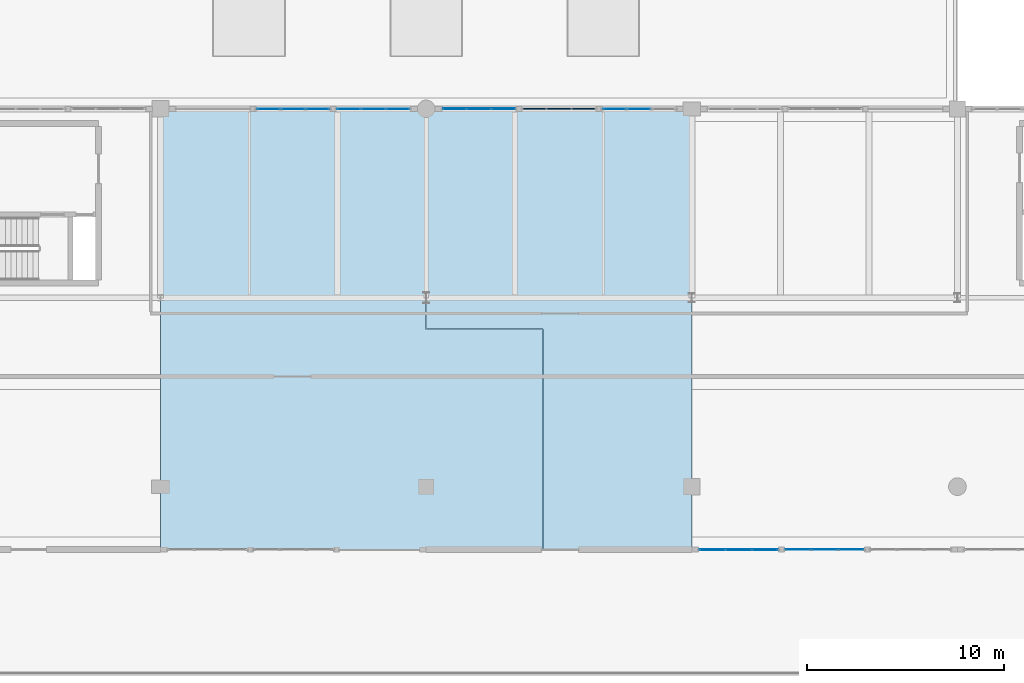
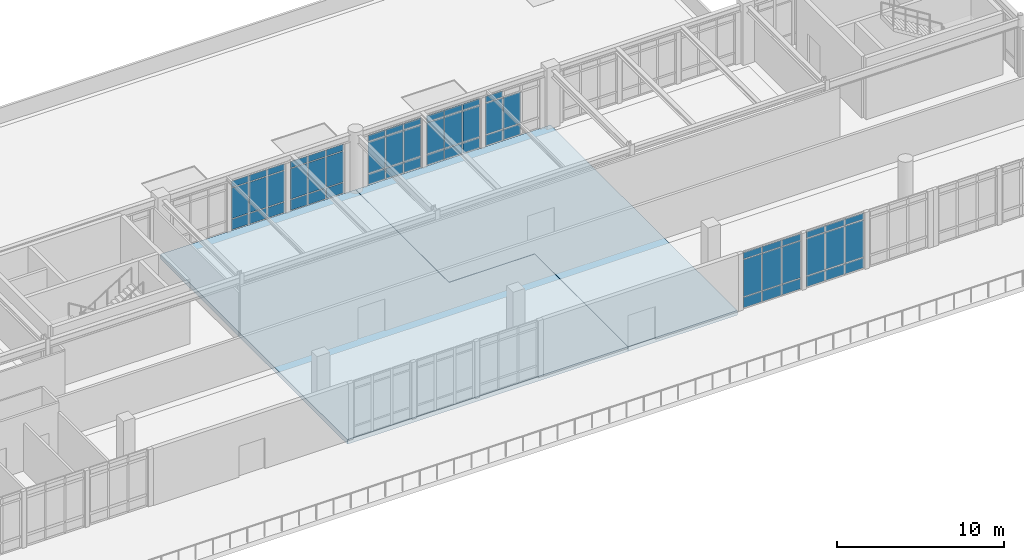
# One storey, part 43 of 55: 59 plates, 2 slabs, 7 elements without a shape of their own.
"""IFC4 building model written with IfcOpenShell, lengths in metres."""

from ifc_helpers import new_model, si_unit, direction, frame, origin, origin_2d, place, context, subcontext, project, spatial, polyline, rectangle, outline, extrude, material, layer, layer_set, type_object, element, aggregate, save


model = new_model("IFC4")

# Units and contexts
model_context = context("Model", 3, precision=1e-05, world=origin(), true_north=direction((0.0, 1.0)))
body_context = subcontext(model_context, "Body", "Model", "MODEL_VIEW")
ifc_project = project(units=[si_unit("LENGTHUNIT", "METRE"), si_unit("AREAUNIT", "SQUARE_METRE"), si_unit("VOLUMEUNIT", "CUBIC_METRE"), si_unit("PLANEANGLEUNIT", "RADIAN"), si_unit("MASSUNIT", "GRAM", prefix="KILO")], contexts=[model_context])

# Site, building, storey
site_placement = place(None, origin())
site = spatial("IfcSite", under=ifc_project, at=site_placement, CompositionType="ELEMENT")
building_placement = place(site_placement, origin())
building = spatial("IfcBuilding", under=site, at=building_placement, Name="Fikremerkos Civic Library", CompositionType="ELEMENT")
storey_placement = place(building_placement, frame((0.0, 0.0, 18.89990234375)))
storey = spatial("IfcBuildingStorey", under=building, at=storey_placement, Name="L04", CompositionType="ELEMENT", Elevation=18.89990234375)

# Curtain wall, plates
ifc_material_1 = material(Name="Anodized aluminium Frame", Category="aluminium")
ifc_layer_1 = layer(ifc_material_1, 0.159912109375, Name="Anodized aluminium Frame")
ifc_layer_set_1 = layer_set([ifc_layer_1], Name="Anodized aluminium Frame")
curtain_wall_type_1 = type_object("IfcCurtainWallType", Name="Unitised curtain wall CW-05 3800x4100", PredefinedType="USERDEFINED", material=ifc_layer_set_1)
curtain_wall_1_placement = place(storey_placement, origin())
curtain_wall_1 = element("IfcCurtainWall", 1, at=curtain_wall_1_placement, inside=storey, type_object=curtain_wall_type_1, Name="Unitised curtain wall CW-05 L04 #239", ObjectType="UNITISED CURTAIN WALL", PredefinedType="USERDEFINED")
ifc_material_2 = material(Name="Solar control double glazing", Category="glass")
ifc_layer_2 = layer(ifc_material_2, 0.028076171875, Name="Solar control double glazing")
ifc_layer_set_2 = layer_set([ifc_layer_2], Name="Solar control double glazing")
plate_type_1 = type_object("IfcPlateType", Name="Curtain glazing panel CWP-01 28", PredefinedType="CURTAIN_PANEL", material=ifc_layer_set_2)
plate_1_placement = place(storey_placement, frame((65.195068359375, 31.199951171875, 0.06005859375), z_axis=(0.0, 0.0, 1.0), x_axis=(1.0, 0.0, 0.0)))
plate_1 = element("IfcPlate", 2, at=plate_1_placement, type_object=plate_type_1, Name="CW-05 panel 1.1", PredefinedType="CURTAIN_PANEL", context=body_context, shape_type="SweptSolid", body=[
    extrude(rectangle(XDim=1.161376953125, YDim=0.028076171875, at=origin_2d()), origin(), (0.0, 0.0, 1.0), 0.760009765625),
])
plate_2_placement = place(storey_placement, frame((65.195068359375, 31.199951171875, 0.880126953125), z_axis=(0.0, 0.0, 1.0), x_axis=(1.0, 0.0, 0.0)))
plate_2 = element("IfcPlate", 3, at=plate_2_placement, type_object=plate_type_1, Name="CW-05 panel 1.2", PredefinedType="CURTAIN_PANEL", context=body_context, shape_type="SweptSolid", body=[
    extrude(rectangle(XDim=1.161376953125, YDim=0.028076171875, at=origin_2d()), origin(), (0.0, 0.0, 1.0), 2.22998046875),
])
plate_3_placement = place(storey_placement, frame((65.195068359375, 31.199951171875, 3.170166015625), z_axis=(0.0, 0.0, 1.0), x_axis=(1.0, 0.0, 0.0)))
plate_3 = element("IfcPlate", 4, at=plate_3_placement, type_object=plate_type_1, Name="CW-05 panel 1.3", PredefinedType="CURTAIN_PANEL", context=body_context, shape_type="SweptSolid", body=[
    extrude(rectangle(XDim=1.161376953125, YDim=0.028076171875, at=origin_2d()), origin(), (0.0, 0.0, 1.0), 0.4599609375),
])
plate_4_placement = place(storey_placement, frame((66.4375, 31.199951171875, 0.06005859375), z_axis=(0.0, 0.0, 1.0), x_axis=(1.0, 0.0, 0.0)))
plate_4 = element("IfcPlate", 5, at=plate_4_placement, type_object=plate_type_1, Name="CW-05 panel 2.1", PredefinedType="CURTAIN_PANEL", context=body_context, shape_type="SweptSolid", body=[
    extrude(rectangle(XDim=1.19384765625, YDim=0.028076171875, at=origin_2d()), origin(), (0.0, 0.0, 1.0), 0.760009765625),
])
plate_5_placement = place(storey_placement, frame((66.4375, 31.199951171875, 0.880126953125), z_axis=(0.0, 0.0, 1.0), x_axis=(1.0, 0.0, 0.0)))
plate_5 = element("IfcPlate", 6, at=plate_5_placement, type_object=plate_type_1, Name="CW-05 panel 2.2", PredefinedType="CURTAIN_PANEL", context=body_context, shape_type="SweptSolid", body=[
    extrude(rectangle(XDim=1.19384765625, YDim=0.028076171875, at=origin_2d()), origin(), (0.0, 0.0, 1.0), 2.22998046875),
])
plate_6_placement = place(storey_placement, frame((66.4375, 31.199951171875, 3.170166015625), z_axis=(0.0, 0.0, 1.0), x_axis=(1.0, 0.0, 0.0)))
plate_6 = element("IfcPlate", 7, at=plate_6_placement, type_object=plate_type_1, Name="CW-05 panel 2.3", PredefinedType="CURTAIN_PANEL", context=body_context, shape_type="SweptSolid", body=[
    extrude(rectangle(XDim=1.19384765625, YDim=0.028076171875, at=origin_2d()), origin(), (0.0, 0.0, 1.0), 0.4599609375),
])
plate_7_placement = place(storey_placement, frame((67.679931640625, 31.199951171875, 0.06005859375), z_axis=(0.0, 0.0, 1.0), x_axis=(1.0, 0.0, 0.0)))
plate_7 = element("IfcPlate", 8, at=plate_7_placement, type_object=plate_type_1, Name="CW-05 panel 3.1", PredefinedType="CURTAIN_PANEL", context=body_context, shape_type="SweptSolid", body=[
    extrude(rectangle(XDim=1.161376953125, YDim=0.028076171875, at=origin_2d()), origin(), (0.0, 0.0, 1.0), 0.760009765625),
])
plate_8_placement = place(storey_placement, frame((67.679931640625, 31.199951171875, 0.880126953125), z_axis=(0.0, 0.0, 1.0), x_axis=(1.0, 0.0, 0.0)))
plate_8 = element("IfcPlate", 9, at=plate_8_placement, type_object=plate_type_1, Name="CW-05 panel 3.2", PredefinedType="CURTAIN_PANEL", context=body_context, shape_type="SweptSolid", body=[
    extrude(rectangle(XDim=1.161376953125, YDim=0.028076171875, at=origin_2d()), origin(), (0.0, 0.0, 1.0), 2.22998046875),
])
plate_9_placement = place(storey_placement, frame((67.679931640625, 31.199951171875, 3.170166015625), z_axis=(0.0, 0.0, 1.0), x_axis=(1.0, 0.0, 0.0)))
plate_9 = element("IfcPlate", 10, at=plate_9_placement, type_object=plate_type_1, Name="CW-05 panel 3.3", PredefinedType="CURTAIN_PANEL", context=body_context, shape_type="SweptSolid", body=[
    extrude(rectangle(XDim=1.161376953125, YDim=0.028076171875, at=origin_2d()), origin(), (0.0, 0.0, 1.0), 0.4599609375),
])
aggregate(curtain_wall_1, [plate_1, plate_2, plate_3, plate_4, plate_5, plate_6, plate_7, plate_8, plate_9])

ifc_layer_3 = layer(ifc_material_1, 0.159912109375, Name="Anodized aluminium Frame")
ifc_layer_set_3 = layer_set([ifc_layer_3], Name="Anodized aluminium Frame")
curtain_wall_type_2 = type_object("IfcCurtainWallType", Name="Unitised curtain wall CW-09 3600x3400", PredefinedType="USERDEFINED", material=ifc_layer_set_3)
curtain_wall_2_placement = place(storey_placement, origin())
curtain_wall_2 = element("IfcCurtainWall", 11, at=curtain_wall_2_placement, inside=storey, type_object=curtain_wall_type_2, Name="Unitised curtain wall CW-09 L04 #243", ObjectType="UNITISED CURTAIN WALL", PredefinedType="USERDEFINED")
plate_10_placement = place(storey_placement, frame((82.7783203125, 31.199951171875, 0.070068359375), z_axis=(0.0, 0.0, 1.0), x_axis=(1.0, 0.0, 0.0)))
plate_10 = element("IfcPlate", 12, at=plate_10_placement, type_object=plate_type_1, Name="CW-09 panel 1.1", PredefinedType="CURTAIN_PANEL", context=body_context, shape_type="SweptSolid", body=[
    extrude(rectangle(XDim=1.158447265625, YDim=0.028076171875, at=origin_2d()), origin(), (0.0, 0.0, 1.0), 0.7451171875),
])
plate_11_placement = place(storey_placement, frame((82.7783203125, 31.199951171875, 0.885009765625), z_axis=(0.0, 0.0, 1.0), x_axis=(1.0, 0.0, 0.0)))
plate_11 = element("IfcPlate", 13, at=plate_11_placement, type_object=plate_type_1, Name="CW-09 panel 1.2", PredefinedType="CURTAIN_PANEL", context=body_context, shape_type="SweptSolid", body=[
    extrude(rectangle(XDim=1.158447265625, YDim=0.028076171875, at=origin_2d()), origin(), (0.0, 0.0, 1.0), 2.27001953125),
])
plate_12_placement = place(storey_placement, frame((82.7783203125, 31.199951171875, 3.22509765625), z_axis=(0.0, 0.0, 1.0), x_axis=(1.0, 0.0, 0.0)))
plate_12 = element("IfcPlate", 14, at=plate_12_placement, type_object=plate_type_1, Name="CW-09 panel 1.3", PredefinedType="CURTAIN_PANEL", context=body_context, shape_type="SweptSolid", body=[
    extrude(rectangle(XDim=1.158447265625, YDim=0.028076171875, at=origin_2d()), origin(), (0.0, 0.0, 1.0), 0.445068359375),
])
plate_13_placement = place(storey_placement, frame((84.01806640625, 31.199951171875, 0.070068359375), z_axis=(0.0, 0.0, 1.0), x_axis=(1.0, 0.0, 0.0)))
plate_13 = element("IfcPlate", 15, at=plate_13_placement, type_object=plate_type_1, Name="CW-09 panel 2.1", PredefinedType="CURTAIN_PANEL", context=body_context, shape_type="SweptSolid", body=[
    extrude(rectangle(XDim=1.19091796875, YDim=0.028076171875, at=origin_2d()), origin(), (0.0, 0.0, 1.0), 0.7451171875),
])
plate_14_placement = place(storey_placement, frame((84.01806640625, 31.199951171875, 0.885009765625), z_axis=(0.0, 0.0, 1.0), x_axis=(1.0, 0.0, 0.0)))
plate_14 = element("IfcPlate", 16, at=plate_14_placement, type_object=plate_type_1, Name="CW-09 panel 2.2", PredefinedType="CURTAIN_PANEL", context=body_context, shape_type="SweptSolid", body=[
    extrude(rectangle(XDim=1.19091796875, YDim=0.028076171875, at=origin_2d()), origin(), (0.0, 0.0, 1.0), 2.27001953125),
])
aggregate(curtain_wall_2, [plate_10, plate_11, plate_12, plate_13, plate_14])

ifc_layer_4 = layer(ifc_material_1, 0.159912109375, Name="Anodized aluminium Frame")
ifc_layer_set_4 = layer_set([ifc_layer_4], Name="Anodized aluminium Frame")
curtain_wall_type_3 = type_object("IfcCurtainWallType", Name="Unitised curtain wall CW-02 3900x3600", PredefinedType="USERDEFINED", material=ifc_layer_set_4)
curtain_wall_3_placement = place(storey_placement, origin())
curtain_wall_3 = element("IfcCurtainWall", 17, at=curtain_wall_3_placement, inside=storey, type_object=curtain_wall_type_3, Name="Unitised curtain wall CW-02 L04 #218", ObjectType="UNITISED CURTAIN WALL", PredefinedType="USERDEFINED")
ifc_layer_5 = layer(ifc_material_2, 0.035888671875, Name="Solar control double glazing")
ifc_layer_set_5 = layer_set([ifc_layer_5], Name="Solar control double glazing")
plate_type_2 = type_object("IfcPlateType", Name="Curtain glazing panel CWP-02 36", PredefinedType="CURTAIN_PANEL", material=ifc_layer_set_5)
plate_15_placement = place(storey_placement, frame((94.7900390625, 8.800048828125, 0.070068359375), z_axis=(0.0, 0.0, 1.0), x_axis=(-1.0, 0.0, 0.0)))
plate_15 = element("IfcPlate", 18, at=plate_15_placement, type_object=plate_type_2, Name="CW-02 panel 1.1", PredefinedType="CURTAIN_PANEL", context=body_context, shape_type="SweptSolid", body=[
    extrude(rectangle(XDim=1.26513671875, YDim=0.035888671875, at=origin_2d()), origin(), (0.0, 0.0, 1.0), 0.7451171875),
])
plate_16_placement = place(storey_placement, frame((94.7900390625, 8.800048828125, 0.885009765625), z_axis=(0.0, 0.0, 1.0), x_axis=(-1.0, 0.0, 0.0)))
plate_16 = element("IfcPlate", 19, at=plate_16_placement, type_object=plate_type_2, Name="CW-02 panel 1.2", PredefinedType="CURTAIN_PANEL", context=body_context, shape_type="SweptSolid", body=[
    extrude(rectangle(XDim=1.26513671875, YDim=0.035888671875, at=origin_2d()), origin(), (0.0, 0.0, 1.0), 2.68994140625),
])
plate_17_placement = place(storey_placement, frame((94.7900390625, 8.800048828125, 3.64501953125), z_axis=(0.0, 0.0, 1.0), x_axis=(-1.0, 0.0, 0.0)))
plate_17 = element("IfcPlate", 20, at=plate_17_placement, type_object=plate_type_2, Name="CW-02 panel 1.3", PredefinedType="CURTAIN_PANEL", context=body_context, shape_type="SweptSolid", body=[
    extrude(rectangle(XDim=1.26513671875, YDim=0.035888671875, at=origin_2d()), origin(), (0.0, 0.0, 1.0), 0.445068359375),
])
plate_18_placement = place(storey_placement, frame((93.449951171875, 8.800048828125, 0.070068359375), z_axis=(0.0, 0.0, 1.0), x_axis=(-1.0, 0.0, 0.0)))
plate_18 = element("IfcPlate", 21, at=plate_18_placement, type_object=plate_type_2, Name="CW-02 panel 2.1", PredefinedType="CURTAIN_PANEL", context=body_context, shape_type="SweptSolid", body=[
    extrude(rectangle(XDim=1.295166015625, YDim=0.035888671875, at=origin_2d()), origin(), (0.0, 0.0, 1.0), 0.7451171875),
])
plate_19_placement = place(storey_placement, frame((93.449951171875, 8.800048828125, 0.885009765625), z_axis=(0.0, 0.0, 1.0), x_axis=(-1.0, 0.0, 0.0)))
plate_19 = element("IfcPlate", 22, at=plate_19_placement, type_object=plate_type_2, Name="CW-02 panel 2.2", PredefinedType="CURTAIN_PANEL", context=body_context, shape_type="SweptSolid", body=[
    extrude(rectangle(XDim=1.295166015625, YDim=0.035888671875, at=origin_2d()), origin(), (0.0, 0.0, 1.0), 2.68994140625),
])
plate_20_placement = place(storey_placement, frame((93.449951171875, 8.800048828125, 3.64501953125), z_axis=(0.0, 0.0, 1.0), x_axis=(-1.0, 0.0, 0.0)))
plate_20 = element("IfcPlate", 23, at=plate_20_placement, type_object=plate_type_2, Name="CW-02 panel 2.3", PredefinedType="CURTAIN_PANEL", context=body_context, shape_type="SweptSolid", body=[
    extrude(rectangle(XDim=1.295166015625, YDim=0.035888671875, at=origin_2d()), origin(), (0.0, 0.0, 1.0), 0.445068359375),
])
plate_21_placement = place(storey_placement, frame((92.10986328125, 8.800048828125, 0.070068359375), z_axis=(0.0, 0.0, 1.0), x_axis=(-1.0, 0.0, 0.0)))
plate_21 = element("IfcPlate", 24, at=plate_21_placement, type_object=plate_type_2, Name="CW-02 panel 3.1", PredefinedType="CURTAIN_PANEL", context=body_context, shape_type="SweptSolid", body=[
    extrude(rectangle(XDim=1.26513671875, YDim=0.035888671875, at=origin_2d()), origin(), (0.0, 0.0, 1.0), 0.7451171875),
])
plate_22_placement = place(storey_placement, frame((92.10986328125, 8.800048828125, 0.885009765625), z_axis=(0.0, 0.0, 1.0), x_axis=(-1.0, 0.0, 0.0)))
plate_22 = element("IfcPlate", 25, at=plate_22_placement, type_object=plate_type_2, Name="CW-02 panel 3.2", PredefinedType="CURTAIN_PANEL", context=body_context, shape_type="SweptSolid", body=[
    extrude(rectangle(XDim=1.26513671875, YDim=0.035888671875, at=origin_2d()), origin(), (0.0, 0.0, 1.0), 2.68994140625),
])
plate_23_placement = place(storey_placement, frame((92.10986328125, 8.800048828125, 3.64501953125), z_axis=(0.0, 0.0, 1.0), x_axis=(-1.0, 0.0, 0.0)))
plate_23 = element("IfcPlate", 26, at=plate_23_placement, type_object=plate_type_2, Name="CW-02 panel 3.3", PredefinedType="CURTAIN_PANEL", context=body_context, shape_type="SweptSolid", body=[
    extrude(rectangle(XDim=1.26513671875, YDim=0.035888671875, at=origin_2d()), origin(), (0.0, 0.0, 1.0), 0.445068359375),
])
aggregate(curtain_wall_3, [plate_15, plate_16, plate_17, plate_18, plate_19, plate_20, plate_21, plate_22, plate_23])

ifc_layer_6 = layer(ifc_material_1, 0.159912109375, Name="Anodized aluminium Frame")
ifc_layer_set_6 = layer_set([ifc_layer_6], Name="Anodized aluminium Frame")
curtain_wall_type_4 = type_object("IfcCurtainWallType", Name="Unitised curtain wall CW-06 4200x4100", PredefinedType="USERDEFINED", material=ifc_layer_set_6)
curtain_wall_4_placement = place(storey_placement, origin())
curtain_wall_4 = element("IfcCurtainWall", 27, at=curtain_wall_4_placement, inside=storey, type_object=curtain_wall_type_4, Name="Unitised curtain wall CW-06 L04 #240", ObjectType="UNITISED CURTAIN WALL", PredefinedType="USERDEFINED")
plate_24_placement = place(storey_placement, frame((69.27001953125, 31.199951171875, 0.06005859375), z_axis=(0.0, 0.0, 1.0), x_axis=(1.0, 0.0, 0.0)))
plate_24 = element("IfcPlate", 28, at=plate_24_placement, type_object=plate_type_2, Name="CW-06 panel 1.1", PredefinedType="CURTAIN_PANEL", context=body_context, shape_type="SweptSolid", body=[
    extrude(rectangle(XDim=1.168701171875, YDim=0.035888671875, at=origin_2d()), origin(), (0.0, 0.0, 1.0), 0.760009765625),
])
plate_25_placement = place(storey_placement, frame((69.27001953125, 31.199951171875, 0.880126953125), z_axis=(0.0, 0.0, 1.0), x_axis=(1.0, 0.0, 0.0)))
plate_25 = element("IfcPlate", 29, at=plate_25_placement, type_object=plate_type_2, Name="CW-06 panel 1.2", PredefinedType="CURTAIN_PANEL", context=body_context, shape_type="SweptSolid", body=[
    extrude(rectangle(XDim=1.168701171875, YDim=0.035888671875, at=origin_2d()), origin(), (0.0, 0.0, 1.0), 2.22998046875),
])
plate_26_placement = place(storey_placement, frame((69.27001953125, 31.199951171875, 3.170166015625), z_axis=(0.0, 0.0, 1.0), x_axis=(1.0, 0.0, 0.0)))
plate_26 = element("IfcPlate", 30, at=plate_26_placement, type_object=plate_type_2, Name="CW-06 panel 1.3", PredefinedType="CURTAIN_PANEL", context=body_context, shape_type="SweptSolid", body=[
    extrude(rectangle(XDim=1.168701171875, YDim=0.035888671875, at=origin_2d()), origin(), (0.0, 0.0, 1.0), 0.4599609375),
])
plate_27_placement = place(storey_placement, frame((70.513916015625, 31.199951171875, 0.06005859375), z_axis=(0.0, 0.0, 1.0), x_axis=(1.0, 0.0, 0.0)))
plate_27 = element("IfcPlate", 31, at=plate_27_placement, type_object=plate_type_2, Name="CW-06 panel 2.1", PredefinedType="CURTAIN_PANEL", context=body_context, shape_type="SweptSolid", body=[
    extrude(rectangle(XDim=1.19873046875, YDim=0.035888671875, at=origin_2d()), origin(), (0.0, 0.0, 1.0), 0.760009765625),
])
plate_28_placement = place(storey_placement, frame((70.513916015625, 31.199951171875, 0.880126953125), z_axis=(0.0, 0.0, 1.0), x_axis=(1.0, 0.0, 0.0)))
plate_28 = element("IfcPlate", 32, at=plate_28_placement, type_object=plate_type_2, Name="CW-06 panel 2.2", PredefinedType="CURTAIN_PANEL", context=body_context, shape_type="SweptSolid", body=[
    extrude(rectangle(XDim=1.19873046875, YDim=0.035888671875, at=origin_2d()), origin(), (0.0, 0.0, 1.0), 2.22998046875),
])
plate_29_placement = place(storey_placement, frame((70.513916015625, 31.199951171875, 3.170166015625), z_axis=(0.0, 0.0, 1.0), x_axis=(1.0, 0.0, 0.0)))
plate_29 = element("IfcPlate", 33, at=plate_29_placement, type_object=plate_type_2, Name="CW-06 panel 2.3", PredefinedType="CURTAIN_PANEL", context=body_context, shape_type="SweptSolid", body=[
    extrude(rectangle(XDim=1.19873046875, YDim=0.035888671875, at=origin_2d()), origin(), (0.0, 0.0, 1.0), 0.4599609375),
])
plate_30_placement = place(storey_placement, frame((71.757568359375, 31.199951171875, 0.06005859375), z_axis=(0.0, 0.0, 1.0), x_axis=(1.0, 0.0, 0.0)))
plate_30 = element("IfcPlate", 34, at=plate_30_placement, type_object=plate_type_2, Name="CW-06 panel 3.1", PredefinedType="CURTAIN_PANEL", context=body_context, shape_type="SweptSolid", body=[
    extrude(rectangle(XDim=1.168701171875, YDim=0.035888671875, at=origin_2d()), origin(), (0.0, 0.0, 1.0), 0.760009765625),
])
plate_31_placement = place(storey_placement, frame((71.757568359375, 31.199951171875, 0.880126953125), z_axis=(0.0, 0.0, 1.0), x_axis=(1.0, 0.0, 0.0)))
plate_31 = element("IfcPlate", 35, at=plate_31_placement, type_object=plate_type_2, Name="CW-06 panel 3.2", PredefinedType="CURTAIN_PANEL", context=body_context, shape_type="SweptSolid", body=[
    extrude(rectangle(XDim=1.168701171875, YDim=0.035888671875, at=origin_2d()), origin(), (0.0, 0.0, 1.0), 2.22998046875),
])
plate_32_placement = place(storey_placement, frame((71.757568359375, 31.199951171875, 3.170166015625), z_axis=(0.0, 0.0, 1.0), x_axis=(1.0, 0.0, 0.0)))
plate_32 = element("IfcPlate", 36, at=plate_32_placement, type_object=plate_type_2, Name="CW-06 panel 3.3", PredefinedType="CURTAIN_PANEL", context=body_context, shape_type="SweptSolid", body=[
    extrude(rectangle(XDim=1.168701171875, YDim=0.035888671875, at=origin_2d()), origin(), (0.0, 0.0, 1.0), 0.4599609375),
])
aggregate(curtain_wall_4, [plate_24, plate_25, plate_26, plate_27, plate_28, plate_29, plate_30, plate_31, plate_32])

ifc_layer_7 = layer(ifc_material_1, 0.159912109375, Name="Anodized aluminium Frame")
ifc_layer_set_7 = layer_set([ifc_layer_7], Name="Anodized aluminium Frame")
curtain_wall_type_5 = type_object("IfcCurtainWallType", Name="Unitised curtain wall CW-03 4100x3600", PredefinedType="USERDEFINED", material=ifc_layer_set_7)
curtain_wall_5_placement = place(storey_placement, origin())
curtain_wall_5 = element("IfcCurtainWall", 37, at=curtain_wall_5_placement, inside=storey, type_object=curtain_wall_type_5, Name="Unitised curtain wall CW-03 L04 #219", ObjectType="UNITISED CURTAIN WALL", PredefinedType="USERDEFINED")
ifc_material_3 = material(Name="Insulated aluminium spandrel", Category="aluminium")
ifc_layer_8 = layer(ifc_material_3, 0.044921875, Name="Insulated aluminium spandrel")
ifc_layer_set_8 = layer_set([ifc_layer_8], Name="Insulated aluminium spandrel")
plate_type_3 = type_object("IfcPlateType", Name="Curtain spandrel panel CSP-01 45", PredefinedType="CURTAIN_PANEL", material=ifc_layer_set_8)
plate_33_placement = place(storey_placement, frame((90.4248046875, 8.800048828125, 0.065185546875), z_axis=(0.0, 0.0, 1.0), x_axis=(-1.0, 0.0, 0.0)))
plate_33 = element("IfcPlate", 38, at=plate_33_placement, type_object=plate_type_3, Name="CW-03 panel 1.1", PredefinedType="CURTAIN_PANEL", context=body_context, shape_type="SweptSolid", body=[
    extrude(rectangle(XDim=1.26513671875, YDim=0.044921875, at=origin_2d()), origin(), (0.0, 0.0, 1.0), 0.75244140625),
])
plate_34_placement = place(storey_placement, frame((90.4248046875, 8.800048828125, 0.88232421875), z_axis=(0.0, 0.0, 1.0), x_axis=(-1.0, 0.0, 0.0)))
plate_34 = element("IfcPlate", 39, at=plate_34_placement, type_object=plate_type_3, Name="CW-03 panel 1.2", PredefinedType="CURTAIN_PANEL", context=body_context, shape_type="SweptSolid", body=[
    extrude(rectangle(XDim=1.26513671875, YDim=0.044921875, at=origin_2d()), origin(), (0.0, 0.0, 1.0), 2.695068359375),
])
plate_35_placement = place(storey_placement, frame((90.4248046875, 8.800048828125, 3.642578125), z_axis=(0.0, 0.0, 1.0), x_axis=(-1.0, 0.0, 0.0)))
plate_35 = element("IfcPlate", 40, at=plate_35_placement, type_object=plate_type_3, Name="CW-03 panel 1.3", PredefinedType="CURTAIN_PANEL", context=body_context, shape_type="SweptSolid", body=[
    extrude(rectangle(XDim=1.26513671875, YDim=0.044921875, at=origin_2d()), origin(), (0.0, 0.0, 1.0), 0.452392578125),
])
plate_36_placement = place(storey_placement, frame((89.084716796875, 8.800048828125, 0.065185546875), z_axis=(0.0, 0.0, 1.0), x_axis=(-1.0, 0.0, 0.0)))
plate_36 = element("IfcPlate", 41, at=plate_36_placement, type_object=plate_type_3, Name="CW-03 panel 2.1", PredefinedType="CURTAIN_PANEL", context=body_context, shape_type="SweptSolid", body=[
    extrude(rectangle(XDim=1.295166015625, YDim=0.044921875, at=origin_2d()), origin(), (0.0, 0.0, 1.0), 0.75244140625),
])
plate_37_placement = place(storey_placement, frame((89.084716796875, 8.800048828125, 0.88232421875), z_axis=(0.0, 0.0, 1.0), x_axis=(-1.0, 0.0, 0.0)))
plate_37 = element("IfcPlate", 42, at=plate_37_placement, type_object=plate_type_3, Name="CW-03 panel 2.2", PredefinedType="CURTAIN_PANEL", context=body_context, shape_type="SweptSolid", body=[
    extrude(rectangle(XDim=1.295166015625, YDim=0.044921875, at=origin_2d()), origin(), (0.0, 0.0, 1.0), 2.695068359375),
])
plate_38_placement = place(storey_placement, frame((89.084716796875, 8.800048828125, 3.642578125), z_axis=(0.0, 0.0, 1.0), x_axis=(-1.0, 0.0, 0.0)))
plate_38 = element("IfcPlate", 43, at=plate_38_placement, type_object=plate_type_3, Name="CW-03 panel 2.3", PredefinedType="CURTAIN_PANEL", context=body_context, shape_type="SweptSolid", body=[
    extrude(rectangle(XDim=1.295166015625, YDim=0.044921875, at=origin_2d()), origin(), (0.0, 0.0, 1.0), 0.452392578125),
])
plate_39_placement = place(storey_placement, frame((87.74462890625, 8.800048828125, 0.065185546875), z_axis=(0.0, 0.0, 1.0), x_axis=(-1.0, 0.0, 0.0)))
plate_39 = element("IfcPlate", 44, at=plate_39_placement, type_object=plate_type_3, Name="CW-03 panel 3.1", PredefinedType="CURTAIN_PANEL", context=body_context, shape_type="SweptSolid", body=[
    extrude(rectangle(XDim=1.26513671875, YDim=0.044921875, at=origin_2d()), origin(), (0.0, 0.0, 1.0), 0.75244140625),
])
plate_40_placement = place(storey_placement, frame((87.74462890625, 8.800048828125, 0.88232421875), z_axis=(0.0, 0.0, 1.0), x_axis=(-1.0, 0.0, 0.0)))
plate_40 = element("IfcPlate", 45, at=plate_40_placement, type_object=plate_type_3, Name="CW-03 panel 3.2", PredefinedType="CURTAIN_PANEL", context=body_context, shape_type="SweptSolid", body=[
    extrude(rectangle(XDim=1.26513671875, YDim=0.044921875, at=origin_2d()), origin(), (0.0, 0.0, 1.0), 2.695068359375),
])
plate_41_placement = place(storey_placement, frame((87.74462890625, 8.800048828125, 3.642578125), z_axis=(0.0, 0.0, 1.0), x_axis=(-1.0, 0.0, 0.0)))
plate_41 = element("IfcPlate", 46, at=plate_41_placement, type_object=plate_type_3, Name="CW-03 panel 3.3", PredefinedType="CURTAIN_PANEL", context=body_context, shape_type="SweptSolid", body=[
    extrude(rectangle(XDim=1.26513671875, YDim=0.044921875, at=origin_2d()), origin(), (0.0, 0.0, 1.0), 0.452392578125),
])
aggregate(curtain_wall_5, [plate_33, plate_34, plate_35, plate_36, plate_37, plate_38, plate_39, plate_40, plate_41])

ifc_layer_9 = layer(ifc_material_1, 0.159912109375, Name="Anodized aluminium Frame")
ifc_layer_set_9 = layer_set([ifc_layer_9], Name="Anodized aluminium Frame")
curtain_wall_type_6 = type_object("IfcCurtainWallType", Name="Unitised curtain wall CW-07 3500x4100", PredefinedType="USERDEFINED", material=ifc_layer_set_9)
curtain_wall_6_placement = place(storey_placement, origin())
curtain_wall_6 = element("IfcCurtainWall", 47, at=curtain_wall_6_placement, inside=storey, type_object=curtain_wall_type_6, Name="Unitised curtain wall CW-07 L04 #241", ObjectType="UNITISED CURTAIN WALL", PredefinedType="USERDEFINED")
plate_42_placement = place(storey_placement, frame((74.64111328125, 31.199951171875, 0.070068359375), z_axis=(0.0, 0.0, 1.0), x_axis=(1.0, 0.0, 0.0)))
plate_42 = element("IfcPlate", 48, at=plate_42_placement, type_object=plate_type_3, Name="CW-07 panel 1.1", PredefinedType="CURTAIN_PANEL", context=body_context, shape_type="SweptSolid", body=[
    extrude(rectangle(XDim=1.166015625, YDim=0.044921875, at=origin_2d()), origin(), (0.0, 0.0, 1.0), 0.7451171875),
])
plate_43_placement = place(storey_placement, frame((74.64111328125, 31.199951171875, 0.885009765625), z_axis=(0.0, 0.0, 1.0), x_axis=(1.0, 0.0, 0.0)))
plate_43 = element("IfcPlate", 49, at=plate_43_placement, type_object=plate_type_3, Name="CW-07 panel 1.2", PredefinedType="CURTAIN_PANEL", context=body_context, shape_type="SweptSolid", body=[
    extrude(rectangle(XDim=1.166015625, YDim=0.044921875, at=origin_2d()), origin(), (0.0, 0.0, 1.0), 2.27001953125),
])
plate_44_placement = place(storey_placement, frame((74.64111328125, 31.199951171875, 3.22509765625), z_axis=(0.0, 0.0, 1.0), x_axis=(1.0, 0.0, 0.0)))
plate_44 = element("IfcPlate", 50, at=plate_44_placement, type_object=plate_type_3, Name="CW-07 panel 1.3", PredefinedType="CURTAIN_PANEL", context=body_context, shape_type="SweptSolid", body=[
    extrude(rectangle(XDim=1.166015625, YDim=0.044921875, at=origin_2d()), origin(), (0.0, 0.0, 1.0), 0.445068359375),
])
plate_45_placement = place(storey_placement, frame((75.882080078125, 31.199951171875, 0.070068359375), z_axis=(0.0, 0.0, 1.0), x_axis=(1.0, 0.0, 0.0)))
plate_45 = element("IfcPlate", 51, at=plate_45_placement, type_object=plate_type_3, Name="CW-07 panel 2.1", PredefinedType="CURTAIN_PANEL", context=body_context, shape_type="SweptSolid", body=[
    extrude(rectangle(XDim=1.196044921875, YDim=0.044921875, at=origin_2d()), origin(), (0.0, 0.0, 1.0), 0.7451171875),
])
plate_46_placement = place(storey_placement, frame((75.882080078125, 31.199951171875, 0.885009765625), z_axis=(0.0, 0.0, 1.0), x_axis=(1.0, 0.0, 0.0)))
plate_46 = element("IfcPlate", 52, at=plate_46_placement, type_object=plate_type_3, Name="CW-07 panel 2.2", PredefinedType="CURTAIN_PANEL", context=body_context, shape_type="SweptSolid", body=[
    extrude(rectangle(XDim=1.196044921875, YDim=0.044921875, at=origin_2d()), origin(), (0.0, 0.0, 1.0), 2.27001953125),
])
plate_47_placement = place(storey_placement, frame((75.882080078125, 31.199951171875, 3.22509765625), z_axis=(0.0, 0.0, 1.0), x_axis=(1.0, 0.0, 0.0)))
plate_47 = element("IfcPlate", 53, at=plate_47_placement, type_object=plate_type_3, Name="CW-07 panel 2.3", PredefinedType="CURTAIN_PANEL", context=body_context, shape_type="SweptSolid", body=[
    extrude(rectangle(XDim=1.196044921875, YDim=0.044921875, at=origin_2d()), origin(), (0.0, 0.0, 1.0), 0.445068359375),
])
plate_48_placement = place(storey_placement, frame((77.123046875, 31.199951171875, 0.070068359375), z_axis=(0.0, 0.0, 1.0), x_axis=(1.0, 0.0, 0.0)))
plate_48 = element("IfcPlate", 54, at=plate_48_placement, type_object=plate_type_3, Name="CW-07 panel 3.1", PredefinedType="CURTAIN_PANEL", context=body_context, shape_type="SweptSolid", body=[
    extrude(rectangle(XDim=1.166015625, YDim=0.044921875, at=origin_2d()), origin(), (0.0, 0.0, 1.0), 0.7451171875),
])
plate_49_placement = place(storey_placement, frame((77.123046875, 31.199951171875, 0.885009765625), z_axis=(0.0, 0.0, 1.0), x_axis=(1.0, 0.0, 0.0)))
plate_49 = element("IfcPlate", 55, at=plate_49_placement, type_object=plate_type_3, Name="CW-07 panel 3.2", PredefinedType="CURTAIN_PANEL", context=body_context, shape_type="SweptSolid", body=[
    extrude(rectangle(XDim=1.166015625, YDim=0.044921875, at=origin_2d()), origin(), (0.0, 0.0, 1.0), 2.27001953125),
])
plate_50_placement = place(storey_placement, frame((77.123046875, 31.199951171875, 3.22509765625), z_axis=(0.0, 0.0, 1.0), x_axis=(1.0, 0.0, 0.0)))
plate_50 = element("IfcPlate", 56, at=plate_50_placement, type_object=plate_type_3, Name="CW-07 panel 3.3", PredefinedType="CURTAIN_PANEL", context=body_context, shape_type="SweptSolid", body=[
    extrude(rectangle(XDim=1.166015625, YDim=0.044921875, at=origin_2d()), origin(), (0.0, 0.0, 1.0), 0.445068359375),
])
aggregate(curtain_wall_6, [plate_42, plate_43, plate_44, plate_45, plate_46, plate_47, plate_48, plate_49, plate_50])

ifc_layer_10 = layer(ifc_material_1, 0.159912109375, Name="Anodized aluminium Frame")
ifc_layer_set_10 = layer_set([ifc_layer_10], Name="Anodized aluminium Frame")
curtain_wall_type_7 = type_object("IfcCurtainWallType", Name="Unitised curtain wall CW-08 4500x4100", PredefinedType="USERDEFINED", material=ifc_layer_set_10)
curtain_wall_7_placement = place(storey_placement, origin())
curtain_wall_7 = element("IfcCurtainWall", 57, at=curtain_wall_7_placement, inside=storey, type_object=curtain_wall_type_7, Name="Unitised curtain wall CW-08 L04 #242", ObjectType="UNITISED CURTAIN WALL", PredefinedType="USERDEFINED")
ifc_layer_11 = layer(ifc_material_3, 0.054931640625, Name="Insulated aluminium spandrel")
ifc_layer_set_11 = layer_set([ifc_layer_11], Name="Insulated aluminium spandrel")
plate_type_4 = type_object("IfcPlateType", Name="Curtain spandrel panel CSP-02 55", PredefinedType="CURTAIN_PANEL", material=ifc_layer_set_11)
plate_51_placement = place(storey_placement, frame((78.708984375, 31.199951171875, 0.070068359375), z_axis=(0.0, 0.0, 1.0), x_axis=(1.0, 0.0, 0.0)))
plate_51 = element("IfcPlate", 58, at=plate_51_placement, type_object=plate_type_4, Name="CW-08 panel 1.1", PredefinedType="CURTAIN_PANEL", context=body_context, shape_type="SweptSolid", body=[
    extrude(rectangle(XDim=1.166015625, YDim=0.054931640625, at=origin_2d()), origin(), (0.0, 0.0, 1.0), 0.7451171875),
])
plate_52_placement = place(storey_placement, frame((78.708984375, 31.199951171875, 0.885009765625), z_axis=(0.0, 0.0, 1.0), x_axis=(1.0, 0.0, 0.0)))
plate_52 = element("IfcPlate", 59, at=plate_52_placement, type_object=plate_type_4, Name="CW-08 panel 1.2", PredefinedType="CURTAIN_PANEL", context=body_context, shape_type="SweptSolid", body=[
    extrude(rectangle(XDim=1.166015625, YDim=0.054931640625, at=origin_2d()), origin(), (0.0, 0.0, 1.0), 2.27001953125),
])
plate_53_placement = place(storey_placement, frame((78.708984375, 31.199951171875, 3.22509765625), z_axis=(0.0, 0.0, 1.0), x_axis=(1.0, 0.0, 0.0)))
plate_53 = element("IfcPlate", 60, at=plate_53_placement, type_object=plate_type_4, Name="CW-08 panel 1.3", PredefinedType="CURTAIN_PANEL", context=body_context, shape_type="SweptSolid", body=[
    extrude(rectangle(XDim=1.166015625, YDim=0.054931640625, at=origin_2d()), origin(), (0.0, 0.0, 1.0), 0.445068359375),
])
plate_54_placement = place(storey_placement, frame((79.949951171875, 31.199951171875, 0.070068359375), z_axis=(0.0, 0.0, 1.0), x_axis=(1.0, 0.0, 0.0)))
plate_54 = element("IfcPlate", 61, at=plate_54_placement, type_object=plate_type_4, Name="CW-08 panel 2.1", PredefinedType="CURTAIN_PANEL", context=body_context, shape_type="SweptSolid", body=[
    extrude(rectangle(XDim=1.196044921875, YDim=0.054931640625, at=origin_2d()), origin(), (0.0, 0.0, 1.0), 0.7451171875),
])
plate_55_placement = place(storey_placement, frame((79.949951171875, 31.199951171875, 0.885009765625), z_axis=(0.0, 0.0, 1.0), x_axis=(1.0, 0.0, 0.0)))
plate_55 = element("IfcPlate", 62, at=plate_55_placement, type_object=plate_type_4, Name="CW-08 panel 2.2", PredefinedType="CURTAIN_PANEL", context=body_context, shape_type="SweptSolid", body=[
    extrude(rectangle(XDim=1.196044921875, YDim=0.054931640625, at=origin_2d()), origin(), (0.0, 0.0, 1.0), 2.27001953125),
])
plate_56_placement = place(storey_placement, frame((79.949951171875, 31.199951171875, 3.22509765625), z_axis=(0.0, 0.0, 1.0), x_axis=(1.0, 0.0, 0.0)))
plate_56 = element("IfcPlate", 63, at=plate_56_placement, type_object=plate_type_4, Name="CW-08 panel 2.3", PredefinedType="CURTAIN_PANEL", context=body_context, shape_type="SweptSolid", body=[
    extrude(rectangle(XDim=1.196044921875, YDim=0.054931640625, at=origin_2d()), origin(), (0.0, 0.0, 1.0), 0.445068359375),
])
plate_57_placement = place(storey_placement, frame((81.19091796875, 31.199951171875, 0.070068359375), z_axis=(0.0, 0.0, 1.0), x_axis=(1.0, 0.0, 0.0)))
plate_57 = element("IfcPlate", 64, at=plate_57_placement, type_object=plate_type_4, Name="CW-08 panel 3.1", PredefinedType="CURTAIN_PANEL", context=body_context, shape_type="SweptSolid", body=[
    extrude(rectangle(XDim=1.166015625, YDim=0.054931640625, at=origin_2d()), origin(), (0.0, 0.0, 1.0), 0.7451171875),
])
plate_58_placement = place(storey_placement, frame((81.19091796875, 31.199951171875, 0.885009765625), z_axis=(0.0, 0.0, 1.0), x_axis=(1.0, 0.0, 0.0)))
plate_58 = element("IfcPlate", 65, at=plate_58_placement, type_object=plate_type_4, Name="CW-08 panel 3.2", PredefinedType="CURTAIN_PANEL", context=body_context, shape_type="SweptSolid", body=[
    extrude(rectangle(XDim=1.166015625, YDim=0.054931640625, at=origin_2d()), origin(), (0.0, 0.0, 1.0), 2.27001953125),
])
plate_59_placement = place(storey_placement, frame((81.19091796875, 31.199951171875, 3.22509765625), z_axis=(0.0, 0.0, 1.0), x_axis=(1.0, 0.0, 0.0)))
plate_59 = element("IfcPlate", 66, at=plate_59_placement, type_object=plate_type_4, Name="CW-08 panel 3.3", PredefinedType="CURTAIN_PANEL", context=body_context, shape_type="SweptSolid", body=[
    extrude(rectangle(XDim=1.166015625, YDim=0.054931640625, at=origin_2d()), origin(), (0.0, 0.0, 1.0), 0.445068359375),
])
aggregate(curtain_wall_7, [plate_51, plate_52, plate_53, plate_54, plate_55, plate_56, plate_57, plate_58, plate_59])

# Slabs
ifc_material_4 = material(Name="Concrete C40/50", Category="concrete")
ifc_layer_12 = layer(ifc_material_4, 0.340087890625, Name="Concrete C40/50")
ifc_layer_set_12 = layer_set([ifc_layer_12], Name="Concrete C40/50")
slab_type = type_object("IfcSlabType", Name="Suspended floor slab SFS-01 340", PredefinedType="FLOOR", material=ifc_layer_set_12)
slab_1_placement = place(storey_placement, frame((0.0, 0.0, -0.33984375)))
element("IfcSlab", 67, at=slab_1_placement, inside=storey, type_object=slab_type, Name="Floor slab SFS-01 SLB-L04-V1-H-2L1", PredefinedType="FLOOR", context=body_context, shape_type="SweptSolid", body=[
    extrude(outline(polyline([(59.699951171875, 8.800048828125), (79.135986328125, 8.800048828125), (79.135986328125, 19.99609375), (73.196044921875, 19.99609375), (73.196044921875, 31.199951171875), (59.699951171875, 31.199951171875), (59.699951171875, 8.800048828125)])), origin(), (0.0, 0.0, 1.0), 0.33984375),
])
slab_2_placement = place(storey_placement, frame((0.0, 0.0, -0.33984375)))
element("IfcSlab", 68, at=slab_2_placement, inside=storey, type_object=slab_type, Name="Floor slab SFS-01 SLB-L04-V1-H-2L2", PredefinedType="FLOOR", context=body_context, shape_type="SweptSolid", body=[
    extrude(outline(polyline([(79.14404296875, 8.800048828125), (86.699951171875, 8.800048828125), (86.699951171875, 31.199951171875), (73.2041015625, 31.199951171875), (73.2041015625, 20.00390625), (79.14404296875, 20.00390625), (79.14404296875, 8.800048828125)])), origin(), (0.0, 0.0, 1.0), 0.33984375),
])

save(model, "model.ifc")
